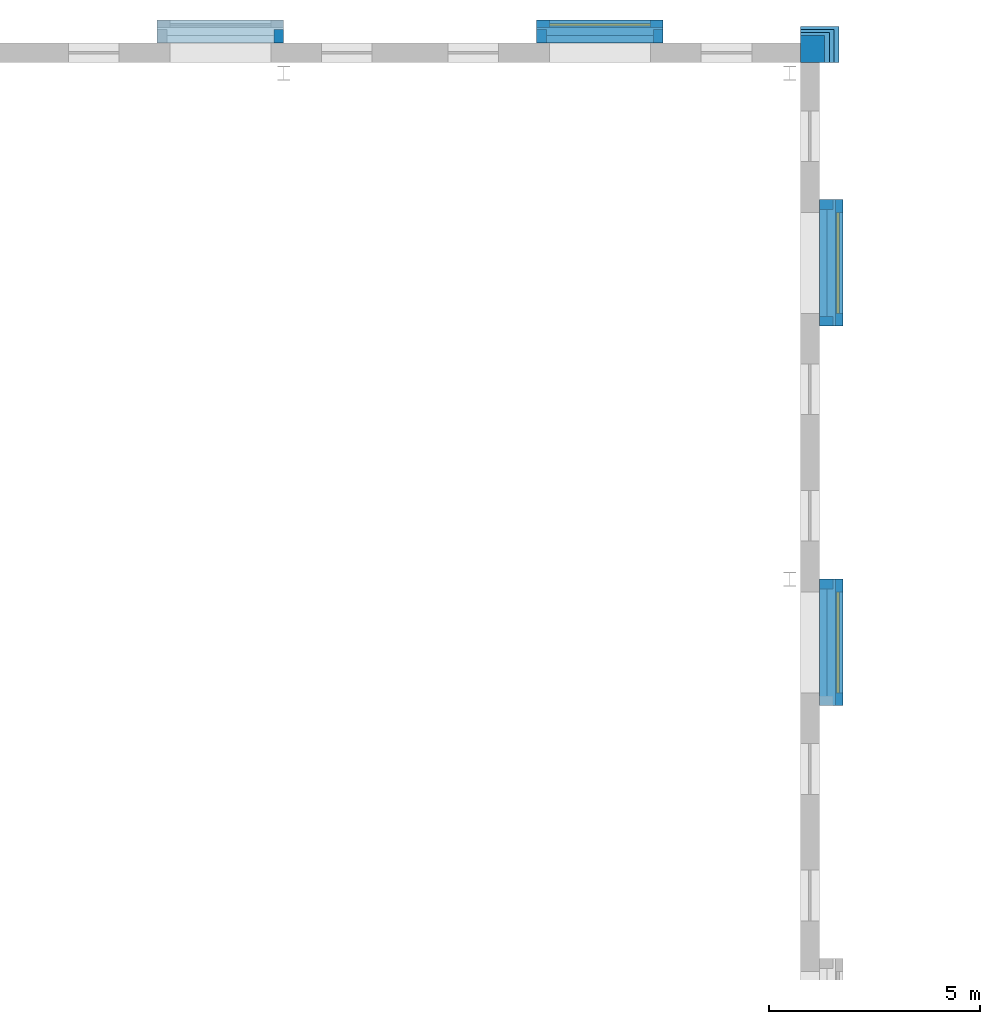
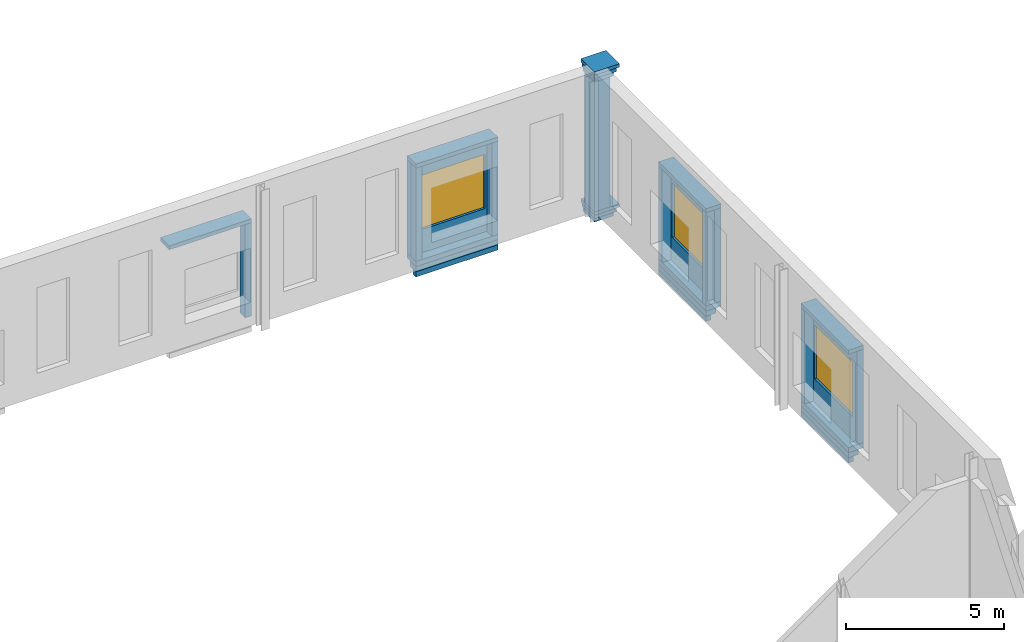
# One storey, part 119 of 170: 29 walls, 3 windows, 3 openings.
"""IFC4 building model written with IfcOpenShell, lengths in metres."""

from ifc_helpers import new_model, si_unit, direction, frame, frame_2d, origin, place, context, subcontext, project, spatial, rectangle, extrude, material, layer, layer_set, type_object, element, fill, save


model = new_model("IFC4")

# Units and contexts
model_context = context("Model", 3, precision=1e-05, world=origin(), true_north=direction((0.0, 1.0)))
body_context = subcontext(model_context, "Body", "Model", "MODEL_VIEW")
ifc_project = project(units=[si_unit("LENGTHUNIT", "METRE"), si_unit("AREAUNIT", "SQUARE_METRE"), si_unit("VOLUMEUNIT", "CUBIC_METRE"), si_unit("PLANEANGLEUNIT", "RADIAN"), si_unit("MASSUNIT", "GRAM", prefix="KILO")], contexts=[model_context])

# Site, building, storey
site_placement = place(None, origin())
site = spatial("IfcSite", under=ifc_project, at=site_placement, CompositionType="ELEMENT")
building_placement = place(site_placement, origin())
building = spatial("IfcBuilding", under=site, at=building_placement, Name="Ravi Spectrum Wholesale Market", CompositionType="ELEMENT")
storey_placement = place(building_placement, frame((0.0, 0.0, 5.39990234375)))
storey = spatial("IfcBuildingStorey", under=building, at=storey_placement, Name="L01", CompositionType="ELEMENT", Elevation=5.39990234375)

# Walls
ifc_material_1 = material(Name="Clinker brickwork", Category="masonry")
ifc_layer_1 = layer(ifc_material_1, 0.715087890625)
ifc_layer_set_1 = layer_set([ifc_layer_1], Name="Clinker brickwork")
wall_type_1 = type_object("IfcWallType", Name="Brick corbel 715", PredefinedType="SOLIDWALL", material=ifc_layer_set_1)
wall_1_placement = place(storey_placement, frame((198.25, 234.607421875, -0.389892578125), z_axis=(0.0, 0.0, 1.0), x_axis=(1.0, 0.0, 0.0)))
element("IfcWall", 1, at=wall_1_placement, inside=storey, type_object=wall_type_1, Name="AU-WL-L01-011", PredefinedType="SOLIDWALL", context=body_context, shape_type="SweptSolid", body=[
    extrude(rectangle(XDim=0.68994140625, YDim=0.715087890625, at=frame_2d((0.344970703125, 0.0))), origin(), (0.0, 0.0, 1.0), 0.1298828125),
])
wall_2_placement = place(storey_placement, frame((198.25, 234.607421875, 5.010009765625), z_axis=(0.0, 0.0, 1.0), x_axis=(1.0, 0.0, 0.0)))
element("IfcWall", 2, at=wall_2_placement, inside=storey, type_object=wall_type_1, Name="AU-WL-L01-026", PredefinedType="SOLIDWALL", context=body_context, shape_type="SweptSolid", body=[
    extrude(rectangle(XDim=0.68994140625, YDim=0.715087890625, at=frame_2d((0.344970703125, 0.0))), origin(), (0.0, 0.0, 1.0), 0.130126953125),
])
ifc_material_2 = material(Name="Clinker brickwork", Category="masonry")
ifc_layer_2 = layer(ifc_material_2, 0.784912109375)
ifc_layer_set_2 = layer_set([ifc_layer_2], Name="Clinker brickwork")
wall_type_2 = type_object("IfcWallType", Name="Brick corbel 785", PredefinedType="SOLIDWALL", material=ifc_layer_set_2)
wall_3_placement = place(storey_placement, frame((198.25, 234.642578125, -0.260009765625), z_axis=(0.0, 0.0, 1.0), x_axis=(1.0, 0.0, 0.0)))
element("IfcWall", 3, at=wall_3_placement, inside=storey, type_object=wall_type_2, Name="AU-WL-L01-012", PredefinedType="SOLIDWALL", context=body_context, shape_type="SweptSolid", body=[
    extrude(rectangle(XDim=0.804931640625, YDim=0.784912109375, at=frame_2d((0.40234375, 0.0))), origin(), (0.0, 0.0, 1.0), 0.130126953125),
])
wall_4_placement = place(storey_placement, frame((198.25, 234.642578125, 5.14013671875), z_axis=(0.0, 0.0, 1.0), x_axis=(1.0, 0.0, 0.0)))
element("IfcWall", 4, at=wall_4_placement, inside=storey, type_object=wall_type_2, Name="AU-WL-L01-027", PredefinedType="SOLIDWALL", context=body_context, shape_type="SweptSolid", body=[
    extrude(rectangle(XDim=0.804931640625, YDim=0.784912109375, at=frame_2d((0.40234375, 0.0))), origin(), (0.0, 0.0, 1.0), 0.1298828125),
])
ifc_material_3 = material(Name="Clinker brickwork", Category="masonry")
ifc_layer_3 = layer(ifc_material_3, 0.85498046875)
ifc_layer_set_3 = layer_set([ifc_layer_3], Name="Clinker brickwork")
wall_type_3 = type_object("IfcWallType", Name="Brick corbel 855", PredefinedType="SOLIDWALL", material=ifc_layer_set_3)
wall_5_placement = place(storey_placement, frame((198.25, 234.677490234375, -0.1298828125), z_axis=(0.0, 0.0, 1.0), x_axis=(1.0, 0.0, 0.0)))
element("IfcWall", 5, at=wall_5_placement, inside=storey, type_object=wall_type_3, Name="AU-WL-L01-013", PredefinedType="SOLIDWALL", context=body_context, shape_type="SweptSolid", body=[
    extrude(rectangle(XDim=0.919921875, YDim=0.85498046875, at=frame_2d((0.4599609375, 0.0))), origin(), (0.0, 0.0, 1.0), 0.1298828125),
])
wall_6_placement = place(storey_placement, frame((198.25, 234.677490234375, 5.27001953125), z_axis=(0.0, 0.0, 1.0), x_axis=(1.0, 0.0, 0.0)))
element("IfcWall", 6, at=wall_6_placement, inside=storey, type_object=wall_type_3, Name="AU-WL-L01-028", PredefinedType="SOLIDWALL", context=body_context, shape_type="SweptSolid", body=[
    extrude(rectangle(XDim=0.919921875, YDim=0.85498046875, at=frame_2d((0.4599609375, 0.0))), origin(), (0.0, 0.0, 1.0), 0.130126953125),
])
ifc_material_4 = material(Name="Clinker brickwork", Category="masonry")
ifc_layer_4 = layer(ifc_material_4, 0.179931640625)
ifc_layer_set_4 = layer_set([ifc_layer_4], Name="Clinker brickwork")
wall_type_4 = type_object("IfcWallType", Name="Brick corbel block 180", PredefinedType="SOLIDWALL", material=ifc_layer_set_4)
for number, where, z_axis, x_axis, name in (
    (7, (198.800048828125, 219.0, -0.599853515625), (0.0, 0.0, 1.0), (0.0, 1.0, 0.0), "AU-WL-L01-049"),
    (8, (198.800048828125, 228.0, -0.599853515625), (0.0, 0.0, 1.0), (0.0, 1.0, 0.0), "AU-WL-L01-056"),
    (9, (195.0, 234.800048828125, -0.599853515625), (0.0, 0.0, 1.0), (-1.0, 0.0, 0.0), "AU-WL-L01-064"),
):
    element("IfcWall", number, at=place(storey_placement, frame(where, z_axis=z_axis, x_axis=x_axis)), inside=storey, type_object=wall_type_4, Name=name, PredefinedType="SOLIDWALL", context=body_context, shape_type="SweptSolid", body=[
        extrude(rectangle(XDim=3.0, YDim=0.179931640625, at=frame_2d((1.5, 0.0))), origin(), (0.0, 0.0, 1.0), 0.199951171875),
    ])
ifc_material_5 = material(Name="Clinker brickwork", Category="masonry")
ifc_layer_5 = layer(ifc_material_5, 0.3701171875)
ifc_layer_set_5 = layer_set([ifc_layer_5], Name="Clinker brickwork")
wall_type_5 = type_object("IfcWallType", Name="Brick corbel block 370", PredefinedType="SOLIDWALL", material=ifc_layer_set_5)
for number, where, z_axis, x_axis, name in (
    (10, (198.89501953125, 219.0, -0.39990234375), (0.0, 0.0, 1.0), (0.0, 1.0, 0.0), "AU-WL-L01-050"),
    (11, (198.89501953125, 228.0, -0.39990234375), (0.0, 0.0, 1.0), (0.0, 1.0, 0.0), "AU-WL-L01-057"),
    (12, (195.0, 234.89501953125, -0.39990234375), (0.0, 0.0, 1.0), (-1.0, 0.0, 0.0), "AU-WL-L01-065"),
):
    element("IfcWall", number, at=place(storey_placement, frame(where, z_axis=z_axis, x_axis=x_axis)), inside=storey, type_object=wall_type_5, Name=name, PredefinedType="SOLIDWALL", context=body_context, shape_type="SweptSolid", body=[
        extrude(rectangle(XDim=3.0, YDim=0.3701171875, at=frame_2d((1.5, 0.0))), origin(), (0.0, 0.0, 1.0), 0.199951171875),
    ])
ifc_material_6 = material(Name="Clinker brickwork", Category="masonry")
ifc_layer_6 = layer(ifc_material_6, 0.550048828125)
ifc_layer_set_6 = layer_set([ifc_layer_6], Name="Clinker brickwork")
wall_type_6 = type_object("IfcWallType", Name="Brick corbel block 550", PredefinedType="SOLIDWALL", material=ifc_layer_set_6)
for number, where, z_axis, x_axis, name in (
    (13, (198.985107421875, 219.0, -0.199951171875), (0.0, 0.0, 1.0), (0.0, 1.0, 0.0), "AU-WL-L01-051"),
    (14, (198.985107421875, 228.0, -0.199951171875), (0.0, 0.0, 1.0), (0.0, 1.0, 0.0), "AU-WL-L01-058"),
    (15, (195.0, 234.985107421875, -0.199951171875), (0.0, 0.0, 1.0), (-1.0, 0.0, 0.0), "AU-WL-L01-066"),
):
    element("IfcWall", number, at=place(storey_placement, frame(where, z_axis=z_axis, x_axis=x_axis)), inside=storey, type_object=wall_type_6, Name=name, PredefinedType="SOLIDWALL", context=body_context, shape_type="SweptSolid", body=[
        extrude(rectangle(XDim=3.0, YDim=0.550048828125, at=frame_2d((1.5, 0.0))), origin(), (0.0, 0.0, 1.0), 0.199951171875),
    ])

# Wall, opening, window
ifc_material_7 = material(Name="Facing brickwork", Category="masonry")
ifc_layer_7 = layer(ifc_material_7, 0.22998046875)
ifc_layer_set_7 = layer_set([ifc_layer_7], Name="Facing brickwork")
wall_type_7 = type_object("IfcWallType", Name="Brick oriel 230", PredefinedType="SOLIDWALL", material=ifc_layer_set_7)
wall_7_placement = place(storey_placement, frame((199.14501953125, 219.0, 0.0), z_axis=(0.0, 0.0, 1.0), x_axis=(0.0, 1.0, 0.0)))
wall_7 = element("IfcWall", 16, at=wall_7_placement, inside=storey, type_object=wall_type_7, Name="AU-WL-L01-052", PredefinedType="SOLIDWALL", context=body_context, shape_type="SweptSolid", body=[
    extrude(rectangle(XDim=3.0, YDim=0.22998046875, at=frame_2d((1.5, 0.0))), origin(), (0.0, 0.0, 1.0), 3.60009765625),
])
opening_1_placement = place(wall_7_placement, frame((0.300048828125, 0.0, 0.89990234375)))
opening_1 = element("IfcOpeningElement", 17, at=opening_1_placement, cuts=wall_7, Name="Opening W2452", PredefinedType="OPENING", context=body_context, shape_type="SweptSolid", body=[
    extrude(rectangle(XDim=2.39990234375, YDim=2.10009765625, at=frame_2d((1.199951171875, 1.050048828125))), frame((0.0, 0.125, 0.0), z_axis=(0.0, -1.0, 0.0), x_axis=(1.0, 0.0, 0.0)), (0.0, 0.0, 1.0), 0.25),
])
ifc_material_8 = material(Name="Steel window frame", Category="steel")
window_type = type_object("IfcWindowType", Name="Oriel window 2400 x 2100", PartitioningType="SINGLE_PANEL", PredefinedType="WINDOW", material=ifc_material_8)
window_1_placement = place(opening_1_placement, origin())
window_1 = element("IfcWindow", 18, at=window_1_placement, inside=storey, type_object=window_type, Name="Window W2452", OverallHeight=2.10009765625, OverallWidth=2.39990234375, PartitioningType="SINGLE_PANEL", PredefinedType="WINDOW", context=body_context, shape_type="SweptSolid", body=[
    extrude(rectangle(XDim=2.39990234375, YDim=2.10009765625, at=frame_2d((1.199951171875, 1.050048828125))), frame((0.0, 0.030029296875, 0.0), z_axis=(0.0, -1.0, 0.0), x_axis=(1.0, 0.0, 0.0)), (0.0, 0.0, 1.0), 0.06005859375),
])
fill(opening_1, window_1)

# Wall
wall_8_placement = place(storey_placement, frame((198.7099609375, 221.885009765625, 0.0), z_axis=(0.0, 0.0, 1.0), x_axis=(1.0, 0.0, 0.0)))
element("IfcWall", 19, at=wall_8_placement, inside=storey, type_object=wall_type_7, Name="AU-WL-L01-054", PredefinedType="SOLIDWALL", context=body_context, shape_type="SweptSolid", body=[
    extrude(rectangle(XDim=0.320068359375, YDim=0.22998046875, at=frame_2d((0.16015625, 0.0))), origin(), (0.0, 0.0, 1.0), 3.60009765625),
])

# Wall, opening, window
wall_9_placement = place(storey_placement, frame((199.14501953125, 228.0, 0.0), z_axis=(0.0, 0.0, 1.0), x_axis=(0.0, 1.0, 0.0)))
wall_9 = element("IfcWall", 20, at=wall_9_placement, inside=storey, type_object=wall_type_7, Name="AU-WL-L01-059", PredefinedType="SOLIDWALL", context=body_context, shape_type="SweptSolid", body=[
    extrude(rectangle(XDim=3.0, YDim=0.22998046875, at=frame_2d((1.5, 0.0))), origin(), (0.0, 0.0, 1.0), 3.60009765625),
])
opening_2_placement = place(wall_9_placement, frame((0.300048828125, 0.0, 0.89990234375)))
opening_2 = element("IfcOpeningElement", 21, at=opening_2_placement, cuts=wall_9, Name="Opening W2455", PredefinedType="OPENING", context=body_context, shape_type="SweptSolid", body=[
    extrude(rectangle(XDim=2.39990234375, YDim=2.10009765625, at=frame_2d((1.199951171875, 1.050048828125))), frame((0.0, 0.125, 0.0), z_axis=(0.0, -1.0, 0.0), x_axis=(1.0, 0.0, 0.0)), (0.0, 0.0, 1.0), 0.25),
])
window_2_placement = place(opening_2_placement, origin())
window_2 = element("IfcWindow", 22, at=window_2_placement, inside=storey, type_object=window_type, Name="Window W2455", OverallHeight=2.10009765625, OverallWidth=2.39990234375, PartitioningType="SINGLE_PANEL", PredefinedType="WINDOW", context=body_context, shape_type="SweptSolid", body=[
    extrude(rectangle(XDim=2.39990234375, YDim=2.10009765625, at=frame_2d((1.199951171875, 1.050048828125))), frame((0.0, 0.030029296875, 0.0), z_axis=(0.0, -1.0, 0.0), x_axis=(1.0, 0.0, 0.0)), (0.0, 0.0, 1.0), 0.06005859375),
])
fill(opening_2, window_2)

# Walls
for number, where, z_axis, x_axis, name in (
    (23, (198.7099609375, 228.114990234375, 0.0), (0.0, 0.0, 1.0), (1.0, 0.0, 0.0), "AU-WL-L01-060"),
    (24, (198.7099609375, 230.885009765625, 0.0), (0.0, 0.0, 1.0), (1.0, 0.0, 0.0), "AU-WL-L01-061"),
):
    element("IfcWall", number, at=place(storey_placement, frame(where, z_axis=z_axis, x_axis=x_axis)), inside=storey, type_object=wall_type_7, Name=name, PredefinedType="SOLIDWALL", context=body_context, shape_type="SweptSolid", body=[
        extrude(rectangle(XDim=0.320068359375, YDim=0.22998046875, at=frame_2d((0.16015625, 0.0))), origin(), (0.0, 0.0, 1.0), 3.60009765625),
    ])

# Wall, opening, window
wall_10_placement = place(storey_placement, frame((195.0, 235.14501953125, 0.0), z_axis=(0.0, 0.0, 1.0), x_axis=(-1.0, 0.0, 0.0)))
wall_10 = element("IfcWall", 25, at=wall_10_placement, inside=storey, type_object=wall_type_7, Name="AU-WL-L01-067", PredefinedType="SOLIDWALL", context=body_context, shape_type="SweptSolid", body=[
    extrude(rectangle(XDim=3.0, YDim=0.22998046875, at=frame_2d((1.5, 0.0))), origin(), (0.0, 0.0, 1.0), 3.60009765625),
])
opening_3_placement = place(wall_10_placement, frame((0.300048828125, 0.0, 0.89990234375)))
opening_3 = element("IfcOpeningElement", 26, at=opening_3_placement, cuts=wall_10, Name="Opening W2458", PredefinedType="OPENING", context=body_context, shape_type="SweptSolid", body=[
    extrude(rectangle(XDim=2.39990234375, YDim=2.10009765625, at=frame_2d((1.199951171875, 1.050048828125))), frame((0.0, 0.125, 0.0), z_axis=(0.0, -1.0, 0.0), x_axis=(1.0, 0.0, 0.0)), (0.0, 0.0, 1.0), 0.25),
])
window_3_placement = place(opening_3_placement, origin())
window_3 = element("IfcWindow", 27, at=window_3_placement, inside=storey, type_object=window_type, Name="Window W2458", OverallHeight=2.10009765625, OverallWidth=2.39990234375, PartitioningType="SINGLE_PANEL", PredefinedType="WINDOW", context=body_context, shape_type="SweptSolid", body=[
    extrude(rectangle(XDim=2.39990234375, YDim=2.10009765625, at=frame_2d((1.199951171875, 1.050048828125))), frame((0.0, 0.030029296875, 0.0), z_axis=(0.0, -1.0, 0.0), x_axis=(1.0, 0.0, 0.0)), (0.0, 0.0, 1.0), 0.06005859375),
])
fill(opening_3, window_3)

# Walls
for number, where, z_axis, x_axis, name in (
    (28, (194.885009765625, 234.7099609375, 0.0), (0.0, 0.0, 1.0), (0.0, 1.0, 0.0), "AU-WL-L01-068"),
    (29, (192.114990234375, 234.7099609375, 0.0), (0.0, 0.0, 1.0), (0.0, 1.0, 0.0), "AU-WL-L01-069"),
    (30, (185.885009765625, 234.7099609375, 0.0), (0.0, 0.0, 1.0), (0.0, 1.0, 0.0), "AU-WL-L01-075"),
):
    element("IfcWall", number, at=place(storey_placement, frame(where, z_axis=z_axis, x_axis=x_axis)), inside=storey, type_object=wall_type_7, Name=name, PredefinedType="SOLIDWALL", context=body_context, shape_type="SweptSolid", body=[
        extrude(rectangle(XDim=0.320068359375, YDim=0.22998046875, at=frame_2d((0.16015625, 0.0))), origin(), (0.0, 0.0, 1.0), 3.60009765625),
    ])
ifc_material_9 = material(Name="Clinker brickwork", Category="masonry")
ifc_layer_8 = layer(ifc_material_9, 0.64501953125)
ifc_layer_set_8 = layer_set([ifc_layer_8], Name="Clinker brickwork")
wall_type_8 = type_object("IfcWallType", Name="Brick pier 645", PredefinedType="SOLIDWALL", material=ifc_layer_set_8)
wall_11_placement = place(storey_placement, frame((198.25, 234.572509765625, 0.0), z_axis=(0.0, 0.0, 1.0), x_axis=(1.0, 0.0, 0.0)))
element("IfcWall", 31, at=wall_11_placement, inside=storey, type_object=wall_type_8, Name="AU-WL-L01-025", PredefinedType="SOLIDWALL", context=body_context, shape_type="SweptSolid", body=[
    extrude(rectangle(XDim=0.574951171875, YDim=0.64501953125, at=frame_2d((0.28759765625, 0.0))), origin(), (0.0, 0.0, 1.0), 5.010009765625),
])
ifc_material_10 = material(Name="Stone coping", Category="masonry")
ifc_layer_9 = layer(ifc_material_10, 0.550048828125)
ifc_layer_set_9 = layer_set([ifc_layer_9], Name="Stone coping")
wall_type_9 = type_object("IfcWallType", Name="Stone oriel cap 550", PredefinedType="SOLIDWALL", material=ifc_layer_set_9)
for number, where, z_axis, x_axis, name in (
    (32, (198.985107421875, 219.0, 3.60009765625), (0.0, 0.0, 1.0), (0.0, 1.0, 0.0), "AU-WL-L01-055"),
    (33, (198.985107421875, 228.0, 3.60009765625), (0.0, 0.0, 1.0), (0.0, 1.0, 0.0), "AU-WL-L01-062"),
    (34, (195.0, 234.985107421875, 3.60009765625), (0.0, 0.0, 1.0), (-1.0, 0.0, 0.0), "AU-WL-L01-070"),
    (35, (186.0, 234.985107421875, 3.60009765625), (0.0, 0.0, 1.0), (-1.0, 0.0, 0.0), "AU-WL-L01-077"),
):
    element("IfcWall", number, at=place(storey_placement, frame(where, z_axis=z_axis, x_axis=x_axis)), inside=storey, type_object=wall_type_9, Name=name, PredefinedType="SOLIDWALL", context=body_context, shape_type="SweptSolid", body=[
        extrude(rectangle(XDim=3.0, YDim=0.550048828125, at=frame_2d((1.5, 0.0))), origin(), (0.0, 0.0, 1.0), 0.14990234375),
    ])

save(model, "model.ifc")
